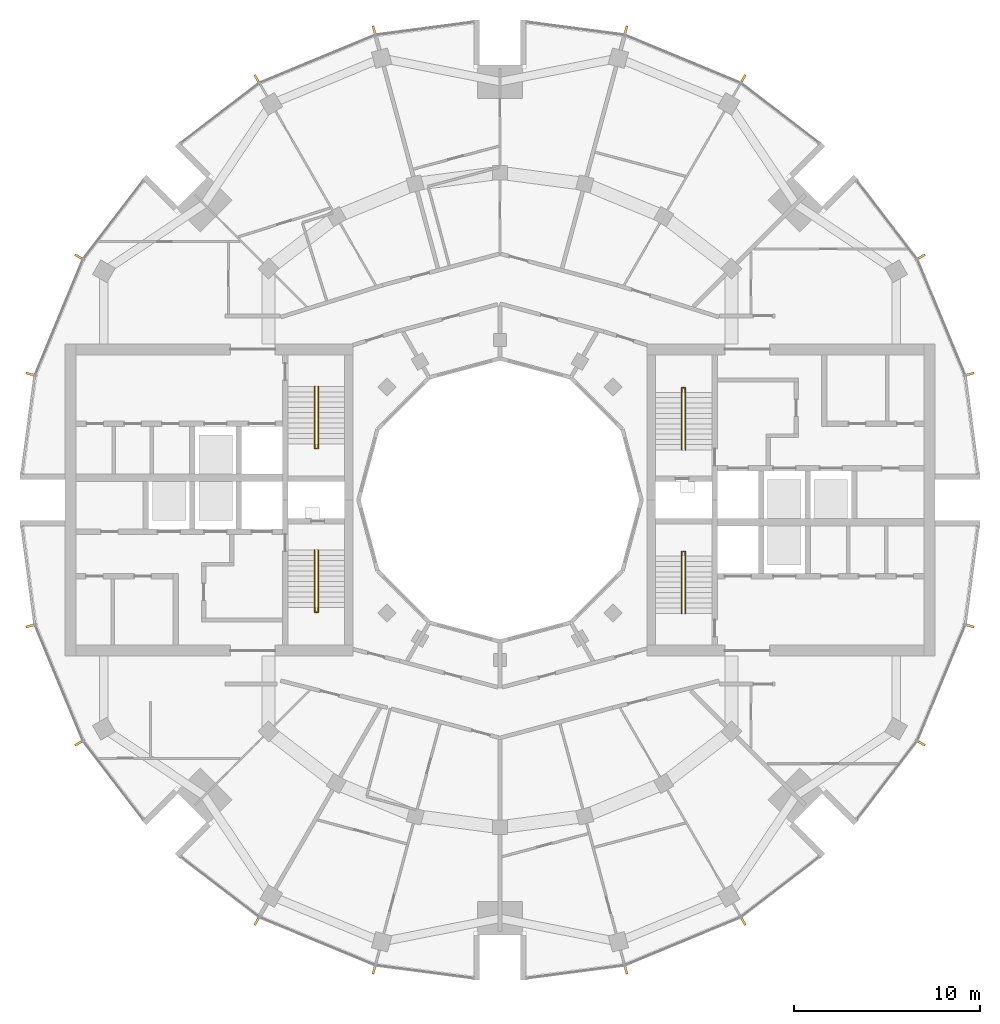
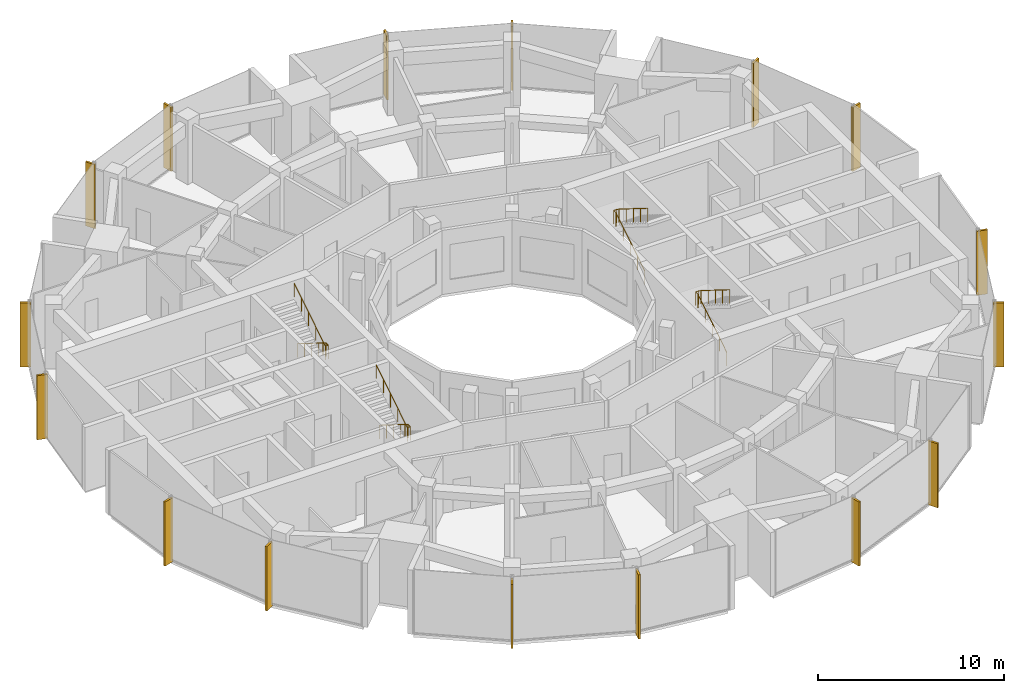
# One storey, part 14 of 15: 16 shading devices, 4 railings.
"""IFC4 building model written with IfcOpenShell, lengths in metres."""

from ifc_helpers import new_model, si_unit, direction, frame, origin, origin_2d, place, context, subcontext, project, spatial, rectangle, circle, extrude, material, material_profile, profile_set, type_object, element, save


model = new_model("IFC4")

# Units and contexts
model_context = context("Model", 3, precision=1e-05, world=origin(), true_north=direction((0.0, 1.0)))
body_context = subcontext(model_context, "Body", "Model", "MODEL_VIEW")
ifc_project = project(units=[si_unit("LENGTHUNIT", "METRE"), si_unit("AREAUNIT", "SQUARE_METRE"), si_unit("VOLUMEUNIT", "CUBIC_METRE"), si_unit("PLANEANGLEUNIT", "RADIAN"), si_unit("MASSUNIT", "GRAM", prefix="KILO")], contexts=[model_context])

# Site, building, storey
site_placement = place(None, origin())
site = spatial("IfcSite", under=ifc_project, at=site_placement, CompositionType="ELEMENT")
building_placement = place(site_placement, origin())
building = spatial("IfcBuilding", under=site, at=building_placement, Name="Torre Brocal", CompositionType="ELEMENT")
storey_placement = place(building_placement, frame((0.0, 0.0, 220.89990234375)))
storey = spatial("IfcBuildingStorey", under=building, at=storey_placement, Name="L51", CompositionType="ELEMENT", Elevation=220.89990234375)

# Shading devices
ifc_material_1 = material(Name="Aluminium, black anodised", Category="aluminium")
ifc_material_profile = material_profile(ifc_material_1, rectangle(XDim=0.1201171875, YDim=0.60009765625, at=origin_2d()), Name="FIN 120X600 4200 HIGH")
ifc_profile_set = profile_set([ifc_material_profile], Name="Aluminium, black anodised")
shading_device_type = type_object("IfcShadingDeviceType", Name="FIN 120X600 4200 HIGH", PredefinedType="USERDEFINED", material=ifc_profile_set)
for number, where, z_axis, x_axis, name in (
    (1, (105.208984375, 81.754638671875, -0.14990234375), (0.0, 0.0, 1.0), (-0.258819045103, 0.965925826289, 0.0), "FIN"),
    (2, (102.601806640625, 88.049072265625, -0.14990234375), (0.0, 0.0, 1.0), (-0.5, 0.866025403784, 0.0), "FIN"),
    (3, (93.049072265625, 97.601806640625, -0.14990234375), (0.0, 0.0, 1.0), (-0.866025403784, 0.5, 0.0), "FIN"),
    (4, (86.754638671875, 100.208984375, -0.14990234375), (0.0, 0.0, 1.0), (-0.965925826289, 0.258819045103, 0.0), "FIN"),
    (5, (73.245361328125, 100.208984375, -0.14990234375), (0.0, 0.0, 1.0), (-0.965925826289, -0.258819045103, 0.0), "FIN"),
    (6, (66.950927734375, 97.601806640625, -0.14990234375), (0.0, 0.0, 1.0), (-0.866025403784, -0.5, 0.0), "FIN"),
    (7, (57.398193359375, 88.049072265625, -0.14990234375), (0.0, 0.0, 1.0), (-0.5, -0.866025403784, 0.0), "FIN"),
    (8, (54.791015625, 81.754638671875, -0.14990234375), (0.0, 0.0, 1.0), (-0.258819045103, -0.965925826289, 0.0), "FIN"),
    (9, (54.791015625, 68.245361328125, -0.14990234375), (0.0, 0.0, 1.0), (0.258819045103, -0.965925826289, 0.0), "FIN"),
    (10, (57.398193359375, 61.950927734375, -0.14990234375), (0.0, 0.0, 1.0), (0.5, -0.866025403784, 0.0), "FIN"),
    (11, (66.950927734375, 52.398193359375, -0.14990234375), (0.0, 0.0, 1.0), (0.866025403784, -0.5, 0.0), "FIN"),
    (12, (73.245361328125, 49.791015625, -0.14990234375), (0.0, 0.0, 1.0), (0.965925826289, -0.258819045103, 0.0), "FIN"),
    (13, (86.754638671875, 49.791015625, -0.14990234375), (0.0, 0.0, 1.0), (0.965925826289, 0.258819045103, 0.0), "FIN"),
    (14, (93.049072265625, 52.398193359375, -0.14990234375), (0.0, 0.0, 1.0), (0.866025403784, 0.5, 0.0), "FIN"),
    (15, (102.601806640625, 61.950927734375, -0.14990234375), (0.0, 0.0, 1.0), (0.5, 0.866025403784, 0.0), "FIN"),
    (16, (105.208984375, 68.245361328125, -0.14990234375), (0.0, 0.0, 1.0), (0.258819045103, 0.965925826289, 0.0), "FIN"),
):
    element("IfcShadingDevice", number, at=place(storey_placement, frame(where, z_axis=z_axis, x_axis=x_axis)), inside=storey, type_object=shading_device_type, Name=name, ObjectType="FIN", PredefinedType="USERDEFINED", context=body_context, shape_type="SweptSolid", body=[
        extrude(rectangle(XDim=0.1201171875, YDim=0.60009765625, at=origin_2d()), origin(), (0.0, 0.0, 1.0), 4.199951171875),
    ])

# Railings
ifc_material_2 = material(Name="Stainless steel AISI 316", Category="steel")
railing_type = type_object("IfcRailingType", Name="STAIR HANDRAIL", PredefinedType="HANDRAIL", material=ifc_material_2)
railing_1_placement = place(storey_placement, frame((89.780029296875, 77.699951171875, 0.175048828125)))
element("IfcRailing", 17, at=railing_1_placement, inside=storey, type_object=railing_type, Name="HANDRAIL ST1", PredefinedType="HANDRAIL", context=body_context, shape_type="SweptSolid", body=[
    extrude(circle(Radius=0.02392578125, at=origin_2d()), frame((0.0, 0.0, 0.8759765625), z_axis=(0.0, 0.847998304005, 0.529998940003), x_axis=(-1.0, 0.0, 0.0)), (0.0, 0.0, 1.0), 3.632080078125),
    extrude(circle(Radius=0.02392578125, at=origin_2d()), frame((0.0, 3.080078125, 2.80078125), z_axis=(0.0, 1.0, 0.0), x_axis=(-1.0, 0.0, 0.0)), (0.0, 0.0, 1.0), 0.25),
    extrude(circle(Radius=0.02392578125, at=origin_2d()), frame((0.0, 3.330078125, 2.80078125), z_axis=(1.0, 0.0, 0.0), x_axis=(0.0, 1.0, 0.0)), (0.0, 0.0, 1.0), 0.18994140625),
    extrude(circle(Radius=0.02392578125, at=origin_2d()), frame((0.18994140625, 3.330078125, 2.80078125), z_axis=(0.0, -0.819156749665, 0.573569716318), x_axis=(1.0, 0.0, 0.0)), (0.0, 0.0, 1.0), 0.30517578125),
    extrude(circle(Radius=0.02392578125, at=origin_2d()), frame((0.18994140625, 3.080078125, 2.97607421875), z_axis=(0.0, -0.847998304005, 0.529998940003), x_axis=(1.0, 0.0, 0.0)), (0.0, 0.0, 1.0), 3.632080078125),
    extrude(circle(Radius=0.02099609375, at=origin_2d()), origin(), (0.0, 0.0, 1.0), 0.851806640625),
    extrude(circle(Radius=0.02099609375, at=origin_2d()), frame((0.0, 0.77001953125, 0.481201171875)), (0.0, 0.0, 1.0), 0.851806640625),
    extrude(circle(Radius=0.02099609375, at=origin_2d()), frame((0.0, 1.5400390625, 0.96240234375)), (0.0, 0.0, 1.0), 0.851806640625),
    extrude(circle(Radius=0.02099609375, at=origin_2d()), frame((0.0, 2.31005859375, 1.44384765625)), (0.0, 0.0, 1.0), 0.851806640625),
    extrude(circle(Radius=0.02099609375, at=origin_2d()), frame((0.0, 3.080078125, 1.925048828125)), (0.0, 0.0, 1.0), 0.851806640625),
    extrude(circle(Radius=0.02099609375, at=origin_2d()), frame((0.0, 3.330078125, 1.925048828125)), (0.0, 0.0, 1.0), 0.851806640625),
    extrude(circle(Radius=0.02099609375, at=origin_2d()), frame((0.18994140625, 3.330078125, 1.925048828125)), (0.0, 0.0, 1.0), 0.851806640625),
    extrude(circle(Radius=0.02099609375, at=origin_2d()), frame((0.18994140625, 3.080078125, 2.10009765625)), (0.0, 0.0, 1.0), 0.851806640625),
    extrude(circle(Radius=0.02099609375, at=origin_2d()), frame((0.18994140625, 2.31005859375, 2.581298828125)), (0.0, 0.0, 1.0), 0.851806640625),
    extrude(circle(Radius=0.02099609375, at=origin_2d()), frame((0.18994140625, 1.5400390625, 3.0625)), (0.0, 0.0, 1.0), 0.851806640625),
    extrude(circle(Radius=0.02099609375, at=origin_2d()), frame((0.18994140625, 0.77001953125, 3.5439453125)), (0.0, 0.0, 1.0), 0.851806640625),
    extrude(circle(Radius=0.02099609375, at=origin_2d()), frame((0.18994140625, 0.0, 4.025146484375)), (0.0, 0.0, 1.0), 0.851806640625),
])
railing_2_placement = place(storey_placement, frame((89.780029296875, 68.89990234375, 0.175048828125)))
element("IfcRailing", 18, at=railing_2_placement, inside=storey, type_object=railing_type, Name="HANDRAIL ST2", PredefinedType="HANDRAIL", context=body_context, shape_type="SweptSolid", body=[
    extrude(circle(Radius=0.02392578125, at=origin_2d()), frame((0.0, 0.0, 0.8759765625), z_axis=(0.0, 0.847998304005, 0.529998940003), x_axis=(-1.0, 0.0, 0.0)), (0.0, 0.0, 1.0), 3.632080078125),
    extrude(circle(Radius=0.02392578125, at=origin_2d()), frame((0.0, 3.080078125, 2.80078125), z_axis=(0.0, 1.0, 0.0), x_axis=(-1.0, 0.0, 0.0)), (0.0, 0.0, 1.0), 0.25),
    extrude(circle(Radius=0.02392578125, at=origin_2d()), frame((0.0, 3.330078125, 2.80078125), z_axis=(1.0, 0.0, 0.0), x_axis=(0.0, 1.0, 0.0)), (0.0, 0.0, 1.0), 0.18994140625),
    extrude(circle(Radius=0.02392578125, at=origin_2d()), frame((0.18994140625, 3.330078125, 2.80078125), z_axis=(0.0, -0.819156749665, 0.573569716318), x_axis=(1.0, 0.0, 0.0)), (0.0, 0.0, 1.0), 0.30517578125),
    extrude(circle(Radius=0.02392578125, at=origin_2d()), frame((0.18994140625, 3.080078125, 2.97607421875), z_axis=(0.0, -0.847998304005, 0.529998940003), x_axis=(1.0, 0.0, 0.0)), (0.0, 0.0, 1.0), 3.632080078125),
    extrude(circle(Radius=0.02099609375, at=origin_2d()), origin(), (0.0, 0.0, 1.0), 0.851806640625),
    extrude(circle(Radius=0.02099609375, at=origin_2d()), frame((0.0, 0.77001953125, 0.481201171875)), (0.0, 0.0, 1.0), 0.851806640625),
    extrude(circle(Radius=0.02099609375, at=origin_2d()), frame((0.0, 1.5400390625, 0.96240234375)), (0.0, 0.0, 1.0), 0.851806640625),
    extrude(circle(Radius=0.02099609375, at=origin_2d()), frame((0.0, 2.31005859375, 1.44384765625)), (0.0, 0.0, 1.0), 0.851806640625),
    extrude(circle(Radius=0.02099609375, at=origin_2d()), frame((0.0, 3.080078125, 1.925048828125)), (0.0, 0.0, 1.0), 0.851806640625),
    extrude(circle(Radius=0.02099609375, at=origin_2d()), frame((0.0, 3.330078125, 1.925048828125)), (0.0, 0.0, 1.0), 0.851806640625),
    extrude(circle(Radius=0.02099609375, at=origin_2d()), frame((0.18994140625, 3.330078125, 1.925048828125)), (0.0, 0.0, 1.0), 0.851806640625),
    extrude(circle(Radius=0.02099609375, at=origin_2d()), frame((0.18994140625, 3.080078125, 2.10009765625)), (0.0, 0.0, 1.0), 0.851806640625),
    extrude(circle(Radius=0.02099609375, at=origin_2d()), frame((0.18994140625, 2.31005859375, 2.581298828125)), (0.0, 0.0, 1.0), 0.851806640625),
    extrude(circle(Radius=0.02099609375, at=origin_2d()), frame((0.18994140625, 1.5400390625, 3.0625)), (0.0, 0.0, 1.0), 0.851806640625),
    extrude(circle(Radius=0.02099609375, at=origin_2d()), frame((0.18994140625, 0.77001953125, 3.5439453125)), (0.0, 0.0, 1.0), 0.851806640625),
    extrude(circle(Radius=0.02099609375, at=origin_2d()), frame((0.18994140625, 0.0, 4.025146484375)), (0.0, 0.0, 1.0), 0.851806640625),
])
railing_3_placement = place(storey_placement, frame((70.219970703125, 72.300048828125, 0.175048828125)))
element("IfcRailing", 19, at=railing_3_placement, inside=storey, type_object=railing_type, Name="HANDRAIL ST3", PredefinedType="HANDRAIL", context=body_context, shape_type="SweptSolid", body=[
    extrude(circle(Radius=0.02392578125, at=origin_2d()), frame((0.0, 0.0, 0.8759765625), z_axis=(0.0, -0.847998304005, 0.529998940003), x_axis=(1.0, 0.0, 0.0)), (0.0, 0.0, 1.0), 3.632080078125),
    extrude(circle(Radius=0.02392578125, at=origin_2d()), frame((0.0, -3.080078125, 2.80078125), z_axis=(0.0, -1.0, 0.0), x_axis=(1.0, 0.0, 0.0)), (0.0, 0.0, 1.0), 0.25),
    extrude(circle(Radius=0.02392578125, at=origin_2d()), frame((0.0, -3.330078125, 2.80078125), z_axis=(-1.0, 0.0, 0.0), x_axis=(0.0, -1.0, 0.0)), (0.0, 0.0, 1.0), 0.18994140625),
    extrude(circle(Radius=0.02392578125, at=origin_2d()), frame((-0.18994140625, -3.330078125, 2.80078125), z_axis=(0.0, 0.819156749665, 0.573569716318), x_axis=(-1.0, 0.0, 0.0)), (0.0, 0.0, 1.0), 0.30517578125),
    extrude(circle(Radius=0.02392578125, at=origin_2d()), frame((-0.18994140625, -3.080078125, 2.97607421875), z_axis=(0.0, 0.847998304005, 0.529998940003), x_axis=(-1.0, 0.0, 0.0)), (0.0, 0.0, 1.0), 3.632080078125),
    extrude(circle(Radius=0.02099609375, at=origin_2d()), origin(), (0.0, 0.0, 1.0), 0.851806640625),
    extrude(circle(Radius=0.02099609375, at=origin_2d()), frame((0.0, -0.77001953125, 0.481201171875)), (0.0, 0.0, 1.0), 0.851806640625),
    extrude(circle(Radius=0.02099609375, at=origin_2d()), frame((0.0, -1.5400390625, 0.96240234375)), (0.0, 0.0, 1.0), 0.851806640625),
    extrude(circle(Radius=0.02099609375, at=origin_2d()), frame((0.0, -2.31005859375, 1.44384765625)), (0.0, 0.0, 1.0), 0.851806640625),
    extrude(circle(Radius=0.02099609375, at=origin_2d()), frame((0.0, -3.080078125, 1.925048828125)), (0.0, 0.0, 1.0), 0.851806640625),
    extrude(circle(Radius=0.02099609375, at=origin_2d()), frame((0.0, -3.330078125, 1.925048828125)), (0.0, 0.0, 1.0), 0.851806640625),
    extrude(circle(Radius=0.02099609375, at=origin_2d()), frame((-0.18994140625, -3.330078125, 1.925048828125)), (0.0, 0.0, 1.0), 0.851806640625),
    extrude(circle(Radius=0.02099609375, at=origin_2d()), frame((-0.18994140625, -3.080078125, 2.10009765625)), (0.0, 0.0, 1.0), 0.851806640625),
    extrude(circle(Radius=0.02099609375, at=origin_2d()), frame((-0.18994140625, -2.31005859375, 2.581298828125)), (0.0, 0.0, 1.0), 0.851806640625),
    extrude(circle(Radius=0.02099609375, at=origin_2d()), frame((-0.18994140625, -1.5400390625, 3.0625)), (0.0, 0.0, 1.0), 0.851806640625),
    extrude(circle(Radius=0.02099609375, at=origin_2d()), frame((-0.18994140625, -0.77001953125, 3.5439453125)), (0.0, 0.0, 1.0), 0.851806640625),
    extrude(circle(Radius=0.02099609375, at=origin_2d()), frame((-0.18994140625, 0.0, 4.025146484375)), (0.0, 0.0, 1.0), 0.851806640625),
])
railing_4_placement = place(storey_placement, frame((70.219970703125, 81.10009765625, 0.175048828125)))
element("IfcRailing", 20, at=railing_4_placement, inside=storey, type_object=railing_type, Name="HANDRAIL ST4", PredefinedType="HANDRAIL", context=body_context, shape_type="SweptSolid", body=[
    extrude(circle(Radius=0.02392578125, at=origin_2d()), frame((0.0, 0.0, 0.8759765625), z_axis=(0.0, -0.847998304005, 0.529998940003), x_axis=(1.0, 0.0, 0.0)), (0.0, 0.0, 1.0), 3.632080078125),
    extrude(circle(Radius=0.02392578125, at=origin_2d()), frame((0.0, -3.080078125, 2.80078125), z_axis=(0.0, -1.0, 0.0), x_axis=(1.0, 0.0, 0.0)), (0.0, 0.0, 1.0), 0.25),
    extrude(circle(Radius=0.02392578125, at=origin_2d()), frame((0.0, -3.330078125, 2.80078125), z_axis=(-1.0, 0.0, 0.0), x_axis=(0.0, -1.0, 0.0)), (0.0, 0.0, 1.0), 0.18994140625),
    extrude(circle(Radius=0.02392578125, at=origin_2d()), frame((-0.18994140625, -3.330078125, 2.80078125), z_axis=(0.0, 0.819156749665, 0.573569716318), x_axis=(-1.0, 0.0, 0.0)), (0.0, 0.0, 1.0), 0.30517578125),
    extrude(circle(Radius=0.02392578125, at=origin_2d()), frame((-0.18994140625, -3.080078125, 2.97607421875), z_axis=(0.0, 0.847998304005, 0.529998940003), x_axis=(-1.0, 0.0, 0.0)), (0.0, 0.0, 1.0), 3.632080078125),
    extrude(circle(Radius=0.02099609375, at=origin_2d()), origin(), (0.0, 0.0, 1.0), 0.851806640625),
    extrude(circle(Radius=0.02099609375, at=origin_2d()), frame((0.0, -0.77001953125, 0.481201171875)), (0.0, 0.0, 1.0), 0.851806640625),
    extrude(circle(Radius=0.02099609375, at=origin_2d()), frame((0.0, -1.5400390625, 0.96240234375)), (0.0, 0.0, 1.0), 0.851806640625),
    extrude(circle(Radius=0.02099609375, at=origin_2d()), frame((0.0, -2.31005859375, 1.44384765625)), (0.0, 0.0, 1.0), 0.851806640625),
    extrude(circle(Radius=0.02099609375, at=origin_2d()), frame((0.0, -3.080078125, 1.925048828125)), (0.0, 0.0, 1.0), 0.851806640625),
    extrude(circle(Radius=0.02099609375, at=origin_2d()), frame((0.0, -3.330078125, 1.925048828125)), (0.0, 0.0, 1.0), 0.851806640625),
    extrude(circle(Radius=0.02099609375, at=origin_2d()), frame((-0.18994140625, -3.330078125, 1.925048828125)), (0.0, 0.0, 1.0), 0.851806640625),
    extrude(circle(Radius=0.02099609375, at=origin_2d()), frame((-0.18994140625, -3.080078125, 2.10009765625)), (0.0, 0.0, 1.0), 0.851806640625),
    extrude(circle(Radius=0.02099609375, at=origin_2d()), frame((-0.18994140625, -2.31005859375, 2.581298828125)), (0.0, 0.0, 1.0), 0.851806640625),
    extrude(circle(Radius=0.02099609375, at=origin_2d()), frame((-0.18994140625, -1.5400390625, 3.0625)), (0.0, 0.0, 1.0), 0.851806640625),
    extrude(circle(Radius=0.02099609375, at=origin_2d()), frame((-0.18994140625, -0.77001953125, 3.5439453125)), (0.0, 0.0, 1.0), 0.851806640625),
    extrude(circle(Radius=0.02099609375, at=origin_2d()), frame((-0.18994140625, 0.0, 4.025146484375)), (0.0, 0.0, 1.0), 0.851806640625),
])

save(model, "model.ifc")
